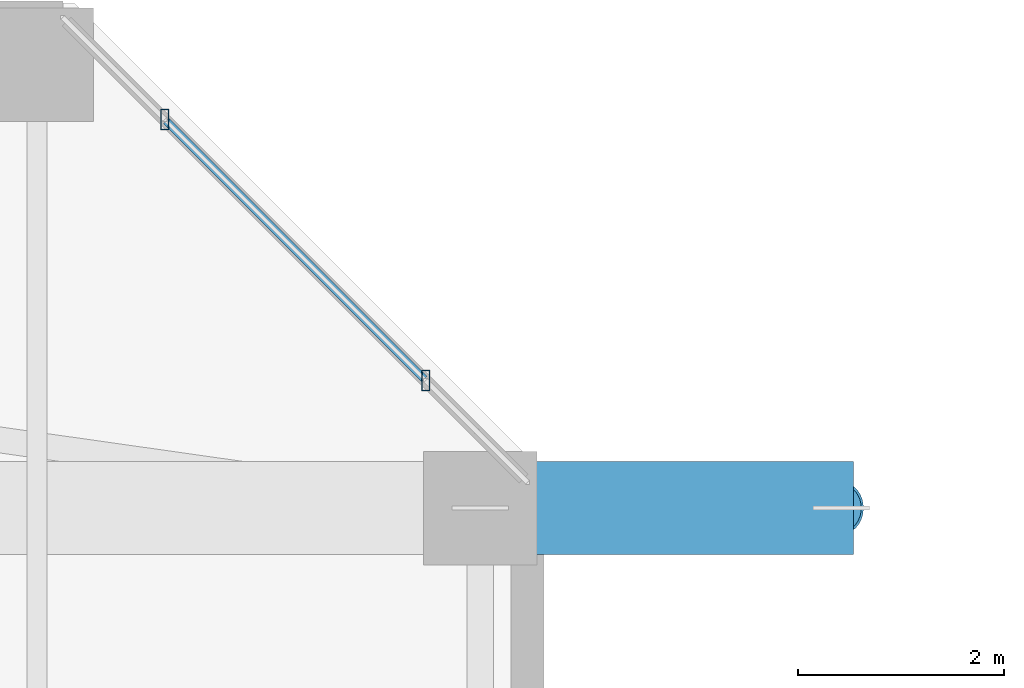
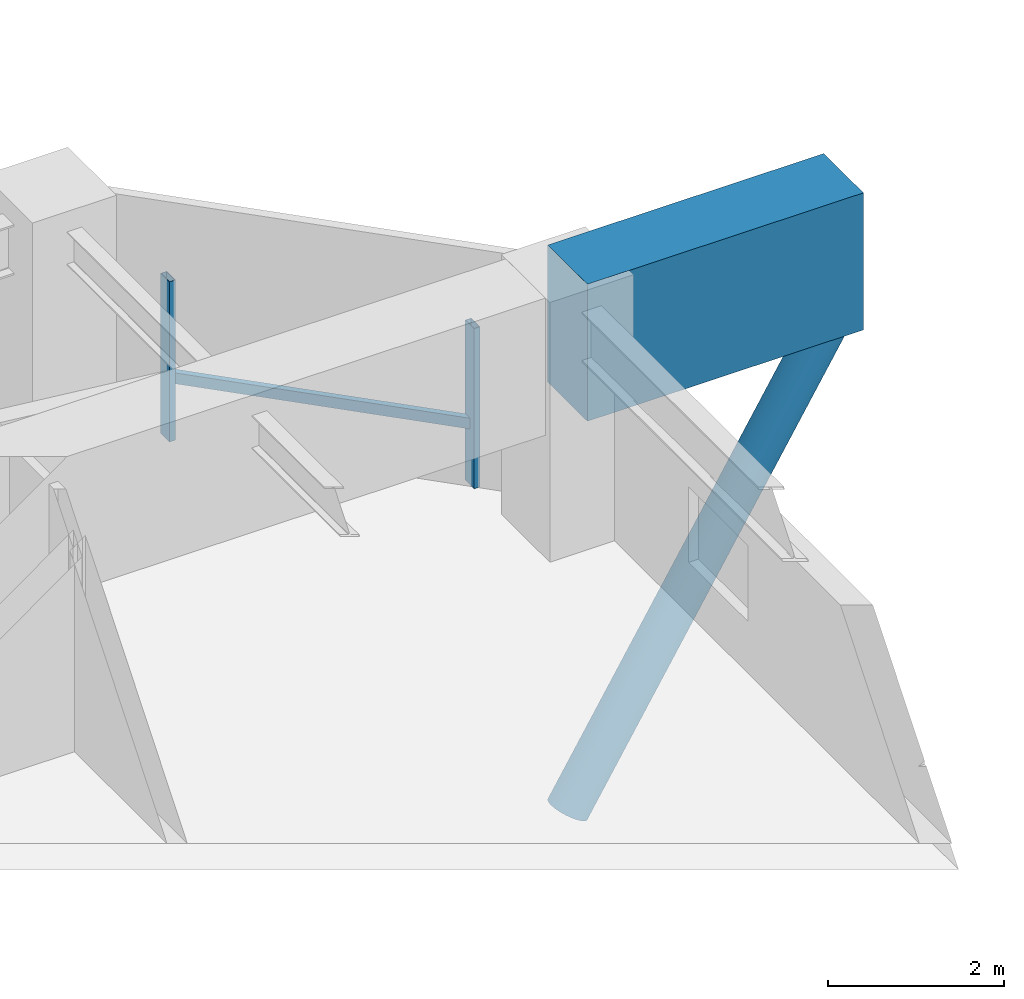
# One storey, part 9 of 35: 4 members, 1 beam, 1 element without a shape of its own.
"""IFC4 building model written with IfcOpenShell, lengths in metres."""

from ifc_helpers import new_model, si_unit, direction, frame, origin, origin_2d, place, context, subcontext, project, spatial, rectangle, hollow_rectangle, hollow_circle, extrude, material, material_profile, profile_set, type_object, element, aggregate, save


model = new_model("IFC4")

# Units and contexts
model_context = context("Model", 3, precision=1e-05, world=origin(), true_north=direction((0.0, 1.0)))
body_context = subcontext(model_context, "Body", "Model", "MODEL_VIEW")
ifc_project = project(units=[si_unit("LENGTHUNIT", "METRE"), si_unit("AREAUNIT", "SQUARE_METRE"), si_unit("VOLUMEUNIT", "CUBIC_METRE"), si_unit("PLANEANGLEUNIT", "RADIAN"), si_unit("MASSUNIT", "GRAM", prefix="KILO")], contexts=[model_context])

# Site, building, storey
site_placement = place(None, origin())
site = spatial("IfcSite", under=ifc_project, at=site_placement, CompositionType="ELEMENT")
building_placement = place(site_placement, origin())
building = spatial("IfcBuilding", under=site, at=building_placement, Name="Thornwick Lancets Civic Towers", CompositionType="ELEMENT")
storey_placement = place(building_placement, frame((0.0, 0.0, 145.5)))
storey = spatial("IfcBuildingStorey", under=building, at=storey_placement, Name="L38", CompositionType="ELEMENT", Elevation=145.5)

# Beam
ifc_material_1 = material(Name="Concrete C60/75", Category="concrete")
ifc_material_profile_1 = material_profile(ifc_material_1, rectangle(XDim=0.89990234375, YDim=1.89990234375, at=origin_2d()), Name="RC 900x1900")
ifc_profile_set_1 = profile_set([ifc_material_profile_1], Name="Concrete C60/75")
beam_type = type_object("IfcBeamType", Name="BM_TR_RC1900", PredefinedType="BEAM", material=ifc_profile_set_1)
beam_placement = place(storey_placement, frame((42.800048828125, 40.0, 2.64990234375), z_axis=(1.0, 0.0, 0.0), x_axis=(0.0, 1.0, 0.0)))
element("IfcBeam", 1, at=beam_placement, inside=storey, type_object=beam_type, Name="TG-CANT-L39-A06", PredefinedType="BEAM", context=body_context, shape_type="SweptSolid", body=[
    extrude(rectangle(XDim=0.89990234375, YDim=1.89990234375, at=origin_2d()), origin(), (0.0, 0.0, 1.0), 3.619873046875),
])

# Curtain wall, members
ifc_material_2 = material(Name="Mid-zone chamfered-corner unitised glass curtain wall", Category="glass")
curtain_wall_type = type_object("IfcCurtainWallType", Name="CW_SYS_04", PredefinedType="NOTDEFINED", material=ifc_material_2)
curtain_wall_placement = place(storey_placement, origin())
curtain_wall = element("IfcCurtainWall", 2, at=curtain_wall_placement, inside=storey, type_object=curtain_wall_type, Name="L38 Curtain Wall CW-L38-A-E3", PredefinedType="NOTDEFINED")
ifc_material_3 = material(Name="Thermally broken bronze aluminium S355", Category="steel")
ifc_material_profile_2 = material_profile(ifc_material_3, hollow_rectangle(XDim=0.080078125, YDim=0.199951171875, WallThickness=0.006103515625, at=origin_2d()), Name="RHS 200x80x6")
ifc_profile_set_2 = profile_set([ifc_material_profile_2], Name="Thermally broken bronze aluminium S355")
member_type_1 = type_object("IfcMemberType", Name="CW_MUL_200", PredefinedType="MULLION", material=ifc_profile_set_2)
member_1_placement = place(storey_placement, frame((42.270751953125, 41.238525390625, 0.0), z_axis=(0.0, 0.0, 1.0), x_axis=(1.0, 0.0, 0.0)))
member_1 = element("IfcMember", 3, at=member_1_placement, type_object=member_type_1, Name="CW-L38-A-E3 Mullion 0", PredefinedType="MULLION", context=body_context, shape_type="SweptSolid", body=[
    extrude(hollow_rectangle(XDim=0.080078125, YDim=0.199951171875, WallThickness=0.006103515625, at=origin_2d()), origin(), (0.0, 0.0, 1.0), 2.219970703125),
])
member_2_placement = place(storey_placement, frame((39.738525390625, 43.770751953125, 0.0), z_axis=(0.0, 0.0, 1.0), x_axis=(1.0, 0.0, 0.0)))
member_2 = element("IfcMember", 4, at=member_2_placement, type_object=member_type_1, Name="CW-L38-A-E3 Mullion 1", PredefinedType="MULLION", context=body_context, shape_type="SweptSolid", body=[
    extrude(hollow_rectangle(XDim=0.080078125, YDim=0.199951171875, WallThickness=0.006103515625, at=origin_2d()), origin(), (0.0, 0.0, 1.0), 2.219970703125),
])
ifc_material_profile_3 = material_profile(ifc_material_3, hollow_rectangle(XDim=0.074951171875, YDim=0.14990234375, WallThickness=0.0048828125, at=origin_2d()), Name="RHS 150x75x5")
ifc_profile_set_3 = profile_set([ifc_material_profile_3], Name="Thermally broken bronze aluminium S355")
member_type_2 = type_object("IfcMemberType", Name="CW_TRN_150", PredefinedType="USERDEFINED", material=ifc_profile_set_3)
member_3_placement = place(storey_placement, frame((42.256591796875, 41.252685546875, 0.85009765625), z_axis=(-0.707106781187, 0.707106781187, 0.0), x_axis=(-0.707106781187, -0.707106781187, 0.0)))
member_3 = element("IfcMember", 5, at=member_3_placement, type_object=member_type_2, Name="CW-L38-A-E3 Transom 0", ObjectType="TRANSOM", PredefinedType="USERDEFINED", context=body_context, shape_type="SweptSolid", body=[
    extrude(hollow_rectangle(XDim=0.074951171875, YDim=0.14990234375, WallThickness=0.0048828125, at=origin_2d()), origin(), (0.0, 0.0, 1.0), 3.541015625),
])
aggregate(curtain_wall, [member_1, member_2, member_3])

# Member
ifc_material_4 = material(Name="Steel S460M", Category="steel")
ifc_material_profile_4 = material_profile(ifc_material_4, hollow_circle(Radius=0.25390625, WallThickness=0.02490234375, at=origin_2d()), Name="CHS 508x25")
ifc_profile_set_4 = profile_set([ifc_material_profile_4], Name="Steel S460M")
member_type_3 = type_object("IfcMemberType", Name="MEM_STRUT_CHS508", PredefinedType="STRUT", material=ifc_profile_set_4)
member_4_placement = place(storey_placement, frame((42.800048828125, 40.0, -3.949951171875), z_axis=(0.52127056277, 0.0, 0.853391469602), x_axis=(0.0, 1.0, 0.0)))
element("IfcMember", 6, at=member_4_placement, inside=storey, type_object=member_type_3, Name="L39 Jenga Transfer Raking Strut A06", PredefinedType="STRUT", context=body_context, shape_type="SweptSolid", body=[
    extrude(hollow_circle(Radius=0.25390625, WallThickness=0.02490234375, at=origin_2d()), origin(), (0.0, 0.0, 1.0), 6.71435546875),
])

save(model, "model.ifc")
